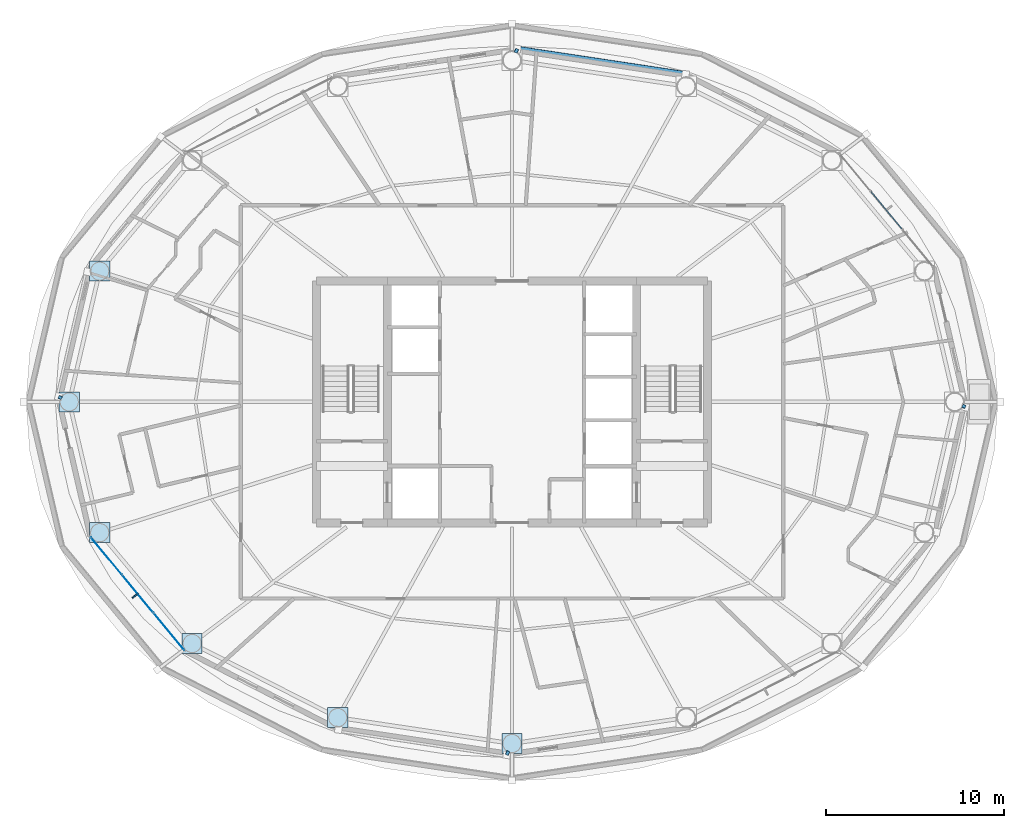
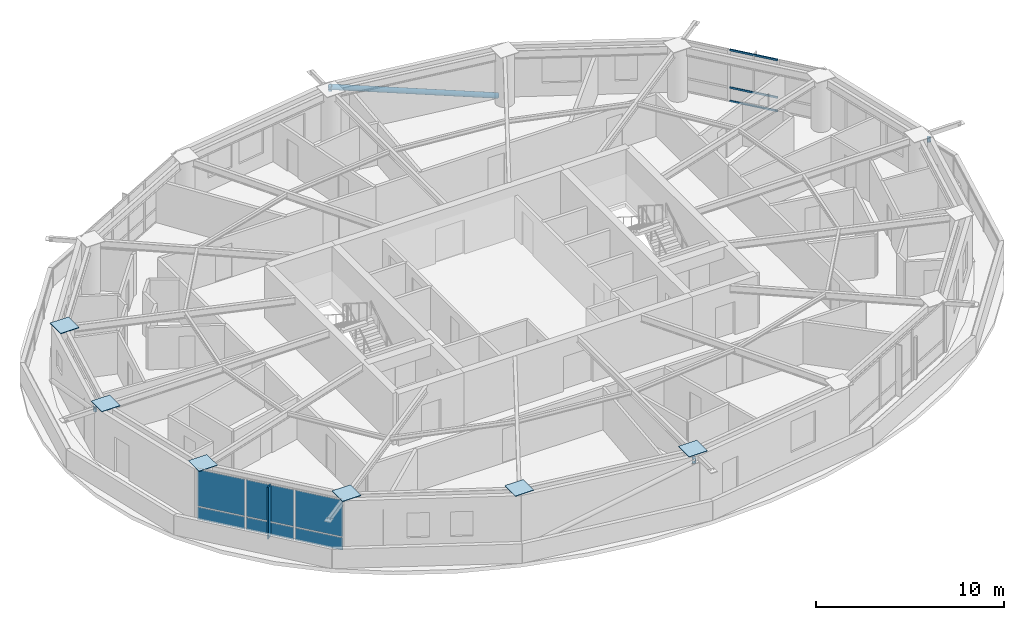
# One storey, part 12 of 22: 13 plates, 8 members, 2 elements without a shape of their own.
"""IFC4 building model written with IfcOpenShell, lengths in metres."""

from ifc_helpers import new_model, si_unit, direction, frame, origin, origin_2d, place, context, subcontext, project, spatial, rectangle, hollow_rectangle, hollow_circle, extrude, material, layer, layer_set, material_profile, profile_set, type_object, element, aggregate, save


model = new_model("IFC4")

# Units and contexts
model_context = context("Model", 3, precision=1e-05, world=origin(), true_north=direction((0.0, 1.0)))
body_context = subcontext(model_context, "Body", "Model", "MODEL_VIEW")
ifc_project = project(units=[si_unit("LENGTHUNIT", "METRE"), si_unit("AREAUNIT", "SQUARE_METRE"), si_unit("VOLUMEUNIT", "CUBIC_METRE"), si_unit("PLANEANGLEUNIT", "RADIAN"), si_unit("MASSUNIT", "GRAM", prefix="KILO")], contexts=[model_context])

# Site, building, storey
site_placement = place(None, origin())
site = spatial("IfcSite", under=ifc_project, at=site_placement, CompositionType="ELEMENT")
building_placement = place(site_placement, origin())
building = spatial("IfcBuilding", under=site, at=building_placement, Name="Sarneth Arch Tower", CompositionType="ELEMENT")
storey_placement = place(building_placement, frame((0.0, 0.0, 206.39990234375)))
storey = spatial("IfcBuildingStorey", under=building, at=storey_placement, Name="L52", CompositionType="ELEMENT", Elevation=206.39990234375)

# Curtain wall, members
ifc_material_1 = material(Name="Anodised aluminium Type AA25 and solar-control low-e laminated IGU", Category="aluminium")
ifc_layer_1 = layer(ifc_material_1, 0.179931640625)
ifc_layer_set_1 = layer_set([ifc_layer_1], Name="Anodised aluminium Type AA25 and solar-control low-e laminated IGU")
curtain_wall_type = type_object("IfcCurtainWallType", Name="CW-RES-HIGH", PredefinedType="NOTDEFINED", material=ifc_layer_set_1)
curtain_wall_1_placement = place(storey_placement, origin())
curtain_wall_1 = element("IfcCurtainWall", 1, at=curtain_wall_1_placement, inside=storey, type_object=curtain_wall_type, Name="L52 Unitised curtain wall facet 02", PredefinedType="NOTDEFINED")
ifc_material_2 = material(Name="Anodised Aluminium 6063-T6", Category="aluminium")
ifc_material_profile_1 = material_profile(ifc_material_2, hollow_rectangle(XDim=0.06005859375, YDim=0.1201171875, WallThickness=0.00390625, at=origin_2d()), Name="AL-TRAN-120x60x4")
ifc_profile_set_1 = profile_set([ifc_material_profile_1], Name="Anodised Aluminium 6063-T6")
member_type_1 = type_object("IfcMemberType", Name="CW-TRANSOM", PredefinedType="USERDEFINED", material=ifc_profile_set_1)
member_1_placement = place(storey_placement, frame((69.904296875, 51.731689453125, 0.030029296875), z_axis=(-0.637617371902, 0.770353222261, 0.0), x_axis=(-0.770353222261, -0.637617371902, 0.0)))
member_1 = element("IfcMember", 2, at=member_1_placement, type_object=member_type_1, Name="CW-SYS-6 transom 2.1", ObjectType="TRANSOM", PredefinedType="USERDEFINED", context=body_context, shape_type="SweptSolid", body=[
    extrude(hollow_rectangle(XDim=0.06005859375, YDim=0.1201171875, WallThickness=0.00390625, at=origin_2d()), origin(), (0.0, 0.0, 1.0), 2.716552734375),
])
member_2_placement = place(storey_placement, frame((69.904296875, 51.731689453125, 0.900146484375), z_axis=(-0.637617371902, 0.770353222261, 0.0), x_axis=(-0.770353222261, -0.637617371902, 0.0)))
member_2 = element("IfcMember", 3, at=member_2_placement, type_object=member_type_1, Name="CW-SYS-6 transom 2.2", ObjectType="TRANSOM", PredefinedType="USERDEFINED", context=body_context, shape_type="SweptSolid", body=[
    extrude(hollow_rectangle(XDim=0.06005859375, YDim=0.1201171875, WallThickness=0.00390625, at=origin_2d()), origin(), (0.0, 0.0, 1.0), 2.716552734375),
])
member_3_placement = place(storey_placement, frame((69.904296875, 51.731689453125, 3.330078125), z_axis=(-0.637617371902, 0.770353222261, 0.0), x_axis=(-0.770353222261, -0.637617371902, 0.0)))
member_3 = element("IfcMember", 4, at=member_3_placement, type_object=member_type_1, Name="CW-SYS-6 transom 2.3", ObjectType="TRANSOM", PredefinedType="USERDEFINED", context=body_context, shape_type="SweptSolid", body=[
    extrude(hollow_rectangle(XDim=0.06005859375, YDim=0.1201171875, WallThickness=0.00390625, at=origin_2d()), origin(), (0.0, 0.0, 1.0), 2.716552734375),
])
aggregate(curtain_wall_1, [member_1, member_2, member_3])

# Members
ifc_material_3 = material(Name="Steel S355", Category="steel")
ifc_material_profile_2 = material_profile(ifc_material_3, hollow_rectangle(XDim=0.199951171875, YDim=0.300048828125, WallThickness=0.012451171875, InnerFilletRadius=0.018798828125, OuterFilletRadius=0.03125, at=origin_2d()), Name="RHS300x200x12.5")
ifc_profile_set_2 = profile_set([ifc_material_profile_2], Name="Steel S355")
member_type_2 = type_object("IfcMemberType", Name="MEM-CANT-STRUT", PredefinedType="STRUT", material=ifc_profile_set_2)
member_4_placement = place(storey_placement, frame((48.199951171875, 61.628173828125, 3.03662109375), z_axis=(0.422710146308, 0.906264934888, 0.0), x_axis=(-0.906264934888, 0.422710146308, 0.0)))
element("IfcMember", 5, at=member_4_placement, inside=storey, type_object=member_type_2, Name="L52 Exoskeleton brace node strut 04B", PredefinedType="STRUT", context=body_context, shape_type="SweptSolid", body=[
    extrude(hollow_rectangle(XDim=0.199951171875, YDim=0.300048828125, WallThickness=0.012451171875, InnerFilletRadius=0.018798828125, OuterFilletRadius=0.03125, at=origin_2d()), origin(), (0.0, 0.0, 1.0), 0.228759765625),
])
member_5_placement = place(storey_placement, frame((22.69287109375, 42.208740234375, 3.03662109375), z_axis=(-0.89699725539, 0.442036111446, 0.0), x_axis=(-0.442036111446, -0.89699725539, 0.0)))
element("IfcMember", 6, at=member_5_placement, inside=storey, type_object=member_type_2, Name="L52 Exoskeleton brace node strut 08B", PredefinedType="STRUT", context=body_context, shape_type="SweptSolid", body=[
    extrude(hollow_rectangle(XDim=0.199951171875, YDim=0.300048828125, WallThickness=0.012451171875, InnerFilletRadius=0.018798828125, OuterFilletRadius=0.03125, at=origin_2d()), origin(), (0.0, 0.0, 1.0), 0.18896484375),
])
member_6_placement = place(storey_placement, frame((47.800048828125, 22.371826171875, 3.03662109375), z_axis=(-0.422710146308, -0.906264934888, 0.0), x_axis=(0.906264934888, -0.422710146308, 0.0)))
element("IfcMember", 7, at=member_6_placement, inside=storey, type_object=member_type_2, Name="L52 Exoskeleton brace node strut 12B", PredefinedType="STRUT", context=body_context, shape_type="SweptSolid", body=[
    extrude(hollow_rectangle(XDim=0.199951171875, YDim=0.300048828125, WallThickness=0.012451171875, InnerFilletRadius=0.018798828125, OuterFilletRadius=0.03125, at=origin_2d()), origin(), (0.0, 0.0, 1.0), 0.228759765625),
])
member_7_placement = place(storey_placement, frame((73.30712890625, 41.791259765625, 3.03662109375), z_axis=(0.89699725539, -0.442036111446, 0.0), x_axis=(0.442036111446, 0.89699725539, 0.0)))
element("IfcMember", 8, at=member_7_placement, inside=storey, type_object=member_type_2, Name="L52 Exoskeleton brace node strut 16B", PredefinedType="STRUT", context=body_context, shape_type="SweptSolid", body=[
    extrude(hollow_rectangle(XDim=0.199951171875, YDim=0.300048828125, WallThickness=0.012451171875, InnerFilletRadius=0.018798828125, OuterFilletRadius=0.03125, at=origin_2d()), origin(), (0.0, 0.0, 1.0), 0.18896484375),
])
ifc_material_4 = material(Name="Steel S355", Category="steel")
ifc_material_profile_3 = material_profile(ifc_material_4, hollow_circle(Radius=0.162109375, WallThickness=0.012451171875, at=origin_2d()), Name="CHS324x12.5")
ifc_profile_set_3 = profile_set([ifc_material_profile_3], Name="Steel S355")
member_type_3 = type_object("IfcMemberType", Name="MEM-DIAG-BR3", PredefinedType="BRACE", material=ifc_profile_set_3)
member_8_placement = place(storey_placement, frame((57.754150390625, 60.411376953125, 0.02001953125), z_axis=(-0.943056107878, 0.142001297879, 0.300800280576), x_axis=(-0.148897148305, -0.988852688335, 0.0)))
element("IfcMember", 9, at=member_8_placement, inside=storey, type_object=member_type_3, Name="L52 Perimeter frame diagonal 04", PredefinedType="BRACE", context=body_context, shape_type="SweptSolid", body=[
    extrude(hollow_circle(Radius=0.162109375, WallThickness=0.012451171875, at=origin_2d()), origin(), (0.0, 0.0, 1.0), 10.028564453125),
])

# Curtain wall, plates
curtain_wall_2_placement = place(storey_placement, origin())
curtain_wall_2 = element("IfcCurtainWall", 10, at=curtain_wall_2_placement, inside=storey, type_object=curtain_wall_type, Name="L52 Unitised curtain wall facet 10", PredefinedType="NOTDEFINED")
ifc_material_5 = material(Name="Solar-control low-e laminated IGU", Category="glass")
ifc_layer_2 = layer(ifc_material_5, 0.028076171875)
ifc_layer_set_2 = layer_set([ifc_layer_2], Name="Solar-control low-e laminated IGU")
plate_type_1 = type_object("IfcPlateType", Name="CW-PANEL", PredefinedType="CURTAIN_PANEL", material=ifc_layer_set_2)
plate_1_placement = place(storey_placement, frame((25.200927734375, 33.349365234375, 0.06005859375), z_axis=(0.0, 0.0, 1.0), x_axis=(0.637610094184, -0.770359245933, 0.0)))
plate_1 = element("IfcPlate", 11, at=plate_1_placement, type_object=plate_type_1, Name="Curtain wall glazed vision pane CW-L52-F10/P00-00", PredefinedType="CURTAIN_PANEL", context=body_context, shape_type="SweptSolid", body=[
    extrude(rectangle(XDim=2.686767578125, YDim=0.028076171875, at=origin_2d()), origin(), (0.0, 0.0, 1.0), 0.81005859375),
])
plate_2_placement = place(storey_placement, frame((25.200927734375, 33.349365234375, 0.929931640625), z_axis=(0.0, 0.0, 1.0), x_axis=(0.637610094184, -0.770359245933, 0.0)))
plate_2 = element("IfcPlate", 12, at=plate_2_placement, type_object=plate_type_1, Name="Curtain wall glazed vision pane CW-L52-F10/P00-01", PredefinedType="CURTAIN_PANEL", context=body_context, shape_type="SweptSolid", body=[
    extrude(rectangle(XDim=2.686767578125, YDim=0.028076171875, at=origin_2d()), origin(), (0.0, 0.0, 1.0), 2.3701171875),
])
plate_3_placement = place(storey_placement, frame((26.9619140625, 31.221923828125, 0.06005859375), z_axis=(0.0, 0.0, 1.0), x_axis=(0.637610094184, -0.770359245933, 0.0)))
plate_3 = element("IfcPlate", 13, at=plate_3_placement, type_object=plate_type_1, Name="Curtain wall glazed vision pane CW-L52-F10/P01-00", PredefinedType="CURTAIN_PANEL", context=body_context, shape_type="SweptSolid", body=[
    extrude(rectangle(XDim=2.716552734375, YDim=0.028076171875, at=origin_2d()), origin(), (0.0, 0.0, 1.0), 0.81005859375),
])
plate_4_placement = place(storey_placement, frame((26.9619140625, 31.221923828125, 0.929931640625), z_axis=(0.0, 0.0, 1.0), x_axis=(0.637610094184, -0.770359245933, 0.0)))
plate_4 = element("IfcPlate", 14, at=plate_4_placement, type_object=plate_type_1, Name="Curtain wall glazed vision pane CW-L52-F10/P01-01", PredefinedType="CURTAIN_PANEL", context=body_context, shape_type="SweptSolid", body=[
    extrude(rectangle(XDim=2.716552734375, YDim=0.028076171875, at=origin_2d()), origin(), (0.0, 0.0, 1.0), 2.3701171875),
])
plate_5_placement = place(storey_placement, frame((28.72265625, 29.094482421875, 0.06005859375), z_axis=(0.0, 0.0, 1.0), x_axis=(0.637610094184, -0.770359245933, 0.0)))
plate_5 = element("IfcPlate", 15, at=plate_5_placement, type_object=plate_type_1, Name="Curtain wall glazed vision pane CW-L52-F10/P02-00", PredefinedType="CURTAIN_PANEL", context=body_context, shape_type="SweptSolid", body=[
    extrude(rectangle(XDim=2.686767578125, YDim=0.028076171875, at=origin_2d()), origin(), (0.0, 0.0, 1.0), 0.81005859375),
])
plate_6_placement = place(storey_placement, frame((28.72265625, 29.094482421875, 0.929931640625), z_axis=(0.0, 0.0, 1.0), x_axis=(0.637610094184, -0.770359245933, 0.0)))
plate_6 = element("IfcPlate", 16, at=plate_6_placement, type_object=plate_type_1, Name="Curtain wall glazed vision pane CW-L52-F10/P02-01", PredefinedType="CURTAIN_PANEL", context=body_context, shape_type="SweptSolid", body=[
    extrude(rectangle(XDim=2.686767578125, YDim=0.028076171875, at=origin_2d()), origin(), (0.0, 0.0, 1.0), 2.3701171875),
])
aggregate(curtain_wall_2, [plate_1, plate_2, plate_3, plate_4, plate_5, plate_6])

# Plates
ifc_material_6 = material(Name="Steel S355", Category="steel")
ifc_layer_3 = layer(ifc_material_6, 0.0400390625)
ifc_layer_set_3 = layer_set([ifc_layer_3], Name="Steel S355")
plate_type_2 = type_object("IfcPlateType", Name="PLT-SPLICE-40", PredefinedType="SHEET", material=ifc_layer_set_3)
for number, where, z_axis, x_axis, name in (
    (17, (24.8310546875, 49.347412109375, 3.34228515625), (0.0, 0.0, 1.0), (1.0, 0.0, 0.0), "Steel end cap plate GP-2"),
    (18, (23.11669921875, 42.0, 3.34228515625), (0.0, 0.0, 1.0), (1.0, 0.0, 0.0), "Steel end cap plate GP-2"),
    (19, (24.8310546875, 34.652587890625, 3.34228515625), (0.0, 0.0, 1.0), (1.0, 0.0, 0.0), "Steel end cap plate GP-2"),
    (20, (30.024658203125, 28.423583984375, 3.34228515625), (0.0, 0.0, 1.0), (1.0, 0.0, 0.0), "Steel end cap plate GP-2"),
    (21, (38.209228515625, 24.261474609375, 3.34228515625), (0.0, 0.0, 1.0), (1.0, 0.0, 0.0), "Steel end cap plate GP-2"),
    (22, (48.0, 22.800048828125, 3.34228515625), (0.0, 0.0, 1.0), (1.0, 0.0, 0.0), "Steel end cap plate GP-2"),
):
    element("IfcPlate", number, at=place(storey_placement, frame(where, z_axis=z_axis, x_axis=x_axis)), inside=storey, type_object=plate_type_2, Name=name, PredefinedType="SHEET", context=body_context, shape_type="SweptSolid", body=[
        extrude(rectangle(XDim=1.1298828125, YDim=1.1298828125, at=origin_2d()), origin(), (0.0, 0.0, 1.0), 0.035888671875),
    ])
ifc_material_7 = material(Name="Extruded glazed terracotta baguette fin on Aluminium 6063-T6 carrier", Category="masonry")
ifc_layer_4 = layer(ifc_material_7, 0.080078125)
ifc_layer_set_4 = layer_set([ifc_layer_4], Name="Extruded glazed terracotta baguette fin on Aluminium 6063-T6 carrier")
plate_type_3 = type_object("IfcPlateType", Name="SHADE-TERRA-FIN", PredefinedType="SHEET", material=ifc_layer_set_4)
plate_7_placement = place(storey_placement, frame((26.830810546875, 31.113525390625, 0.01025390625), z_axis=(0.0, 0.0, 1.0), x_axis=(-0.770401979567, -0.63755845997, 0.0)))
element("IfcPlate", 23, at=plate_7_placement, inside=storey, type_object=plate_type_3, Name="L52 Terracotta vertical shading fin 10", PredefinedType="SHEET", context=body_context, shape_type="SweptSolid", body=[
    extrude(rectangle(XDim=0.419921875, YDim=0.080078125, at=origin_2d()), origin(), (0.0, 0.0, 1.0), 3.340087890625),
])

save(model, "model.ifc")
